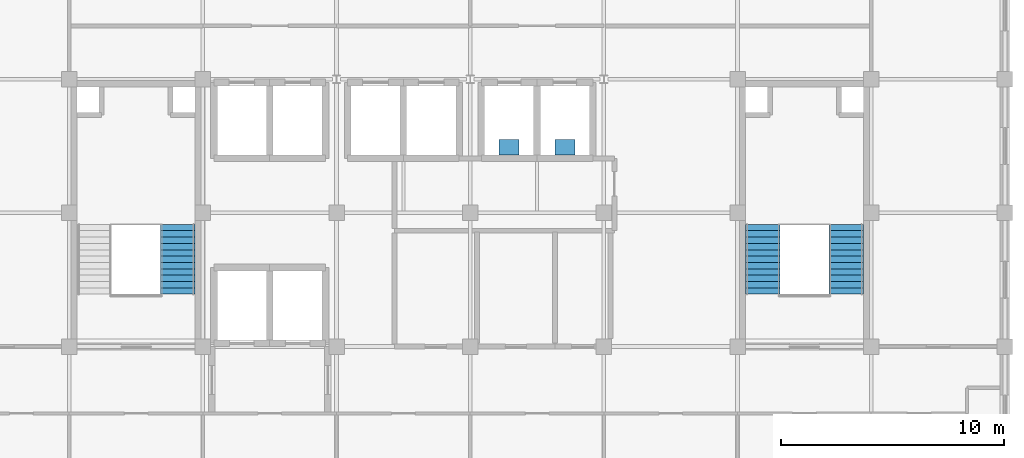
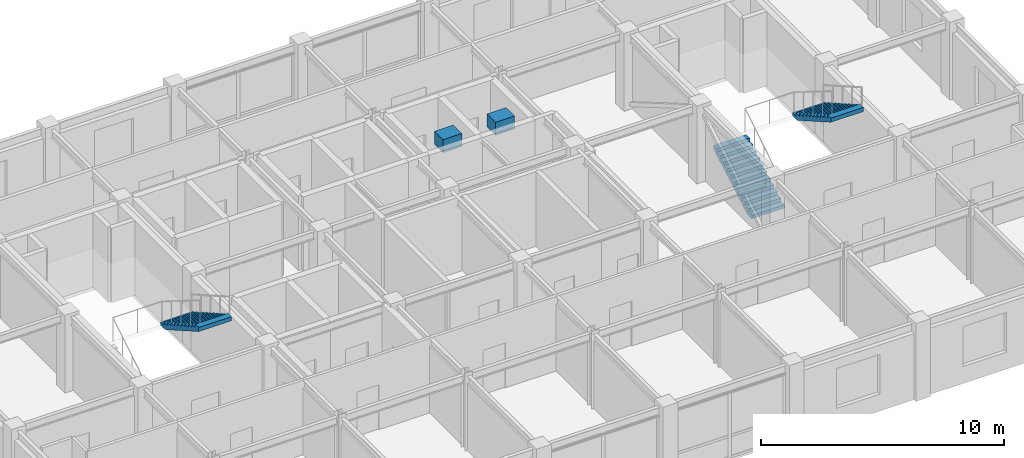
# One storey, part 11 of 12: 3 stair flights, 2 discrete accessories, 2 elements without a shape of their own.
"""IFC4 building model written with IfcOpenShell, lengths in metres."""

from ifc_helpers import new_model, si_unit, direction, frame, origin, origin_2d, place, context, subcontext, project, spatial, polyline, rectangle, outline, extrude, material, type_object, element, aggregate, save


model = new_model("IFC4")

# Units and contexts
model_context = context("Model", 3, precision=1e-05, world=origin(), true_north=direction((0.0, 1.0)))
body_context = subcontext(model_context, "Body", "Model", "MODEL_VIEW")
ifc_project = project(units=[si_unit("LENGTHUNIT", "METRE"), si_unit("AREAUNIT", "SQUARE_METRE"), si_unit("VOLUMEUNIT", "CUBIC_METRE"), si_unit("PLANEANGLEUNIT", "RADIAN"), si_unit("MASSUNIT", "GRAM", prefix="KILO")], contexts=[model_context])

# Site, building, storey
site_placement = place(None, origin())
site = spatial("IfcSite", under=ifc_project, at=site_placement, CompositionType="ELEMENT")
building_placement = place(site_placement, origin())
building = spatial("IfcBuilding", under=site, at=building_placement, Name="Zlatovratsky Civic Hall", CompositionType="ELEMENT")
storey_placement = place(building_placement, frame((0.0, 0.0, 40.5)))
storey = spatial("IfcBuildingStorey", under=building, at=storey_placement, Name="L10", CompositionType="ELEMENT", Elevation=40.5)

# Stair, stair flight
ifc_material_1 = material(Name="Concrete C30/37 (B35)", Category="concrete")
stair_type = type_object("IfcStairType", Name="Stair_HALF_24R_1550W_04", PredefinedType="HALF_TURN_STAIR", material=ifc_material_1)
stair_1_placement = place(storey_placement, origin())
stair_1 = element("IfcStair", 1, at=stair_1_placement, inside=storey, type_object=stair_type, Name="ST-011", PredefinedType="HALF_TURN_STAIR")
stair_flight_type = type_object("IfcStairFlightType", Name="StairFlight_12R_1550W_04", PredefinedType="STRAIGHT", material=ifc_material_1)
stair_flight_1_placement = place(storey_placement, frame((70.875, 89.485107421875, 1.949951171875), z_axis=(0.0, 0.0, 1.0), x_axis=(0.0, -1.0, 0.0)))
stair_flight_1 = element("IfcStairFlight", 2, at=stair_flight_1_placement, type_object=stair_flight_type, Name="ST-011-F2", NumberOfRisers=12, NumberOfTreads=11, PredefinedType="STRAIGHT", RiserHeight=0.1625, TreadLength=0.285, context=body_context, shape_type="SweptSolid", body=[
    extrude(outline(polyline([(0.0, 0.0), (0.0, 0.16259765625), (0.284912109375, 0.16259765625), (0.284912109375, 0.324951171875), (0.570068359375, 0.324951171875), (0.570068359375, 0.487548828125), (0.85498046875, 0.487548828125), (0.85498046875, 0.64990234375), (1.139892578125, 0.64990234375), (1.139892578125, 0.8125), (1.425048828125, 0.8125), (1.425048828125, 0.97509765625), (1.7099609375, 0.97509765625), (1.7099609375, 1.137451171875), (1.9951171875, 1.137451171875), (1.9951171875, 1.300048828125), (2.280029296875, 1.300048828125), (2.280029296875, 1.46240234375), (2.56494140625, 1.46240234375), (2.56494140625, 1.625), (2.85009765625, 1.625), (2.85009765625, 1.78759765625), (3.135009765625, 1.78759765625), (3.135009765625, 1.949951171875), (3.135009765625, 1.580322265625), (0.36328125, 0.0), (0.0, 0.0)])), frame((0.0, 0.77490234375, 0.0), z_axis=(0.0, -1.0, 0.0), x_axis=(1.0, 0.0, 0.0)), (0.0, 0.0, 1.0), 1.550048828125),
])
aggregate(stair_1, [stair_flight_1])

# Stair, stair flights
stair_2_placement = place(storey_placement, origin())
stair_2 = element("IfcStair", 3, at=stair_2_placement, inside=storey, type_object=stair_type, Name="ST-030", PredefinedType="HALF_TURN_STAIR")
stair_flight_2_placement = place(storey_placement, frame((97.125, 86.35009765625, 0.0), z_axis=(0.0, 0.0, 1.0), x_axis=(0.0, 1.0, 0.0)))
stair_flight_2 = element("IfcStairFlight", 4, at=stair_flight_2_placement, type_object=stair_flight_type, Name="ST-030-F1", NumberOfRisers=12, NumberOfTreads=11, PredefinedType="STRAIGHT", RiserHeight=0.1625, TreadLength=0.285, context=body_context, shape_type="SweptSolid", body=[
    extrude(outline(polyline([(0.0, 0.0), (0.0, 0.16259765625), (0.284912109375, 0.16259765625), (0.284912109375, 0.324951171875), (0.570068359375, 0.324951171875), (0.570068359375, 0.487548828125), (0.85498046875, 0.487548828125), (0.85498046875, 0.64990234375), (1.139892578125, 0.64990234375), (1.139892578125, 0.8125), (1.425048828125, 0.8125), (1.425048828125, 0.97509765625), (1.7099609375, 0.97509765625), (1.7099609375, 1.137451171875), (1.9951171875, 1.137451171875), (1.9951171875, 1.300048828125), (2.280029296875, 1.300048828125), (2.280029296875, 1.46240234375), (2.56494140625, 1.46240234375), (2.56494140625, 1.625), (2.85009765625, 1.625), (2.85009765625, 1.78759765625), (3.135009765625, 1.78759765625), (3.135009765625, 1.949951171875), (3.135009765625, 1.580322265625), (0.36328125, 0.0), (0.0, 0.0)])), frame((0.0, 0.77490234375, 0.0), z_axis=(0.0, -1.0, 0.0), x_axis=(1.0, 0.0, 0.0)), (0.0, 0.0, 1.0), 1.550048828125),
])
stair_flight_3_placement = place(storey_placement, frame((100.875, 89.485107421875, 1.949951171875), z_axis=(0.0, 0.0, 1.0), x_axis=(0.0, -1.0, 0.0)))
stair_flight_3 = element("IfcStairFlight", 5, at=stair_flight_3_placement, type_object=stair_flight_type, Name="ST-030-F2", NumberOfRisers=12, NumberOfTreads=11, PredefinedType="STRAIGHT", RiserHeight=0.1625, TreadLength=0.285, context=body_context, shape_type="SweptSolid", body=[
    extrude(outline(polyline([(0.0, 0.0), (0.0, 0.16259765625), (0.284912109375, 0.16259765625), (0.284912109375, 0.324951171875), (0.570068359375, 0.324951171875), (0.570068359375, 0.487548828125), (0.85498046875, 0.487548828125), (0.85498046875, 0.64990234375), (1.139892578125, 0.64990234375), (1.139892578125, 0.8125), (1.425048828125, 0.8125), (1.425048828125, 0.97509765625), (1.7099609375, 0.97509765625), (1.7099609375, 1.137451171875), (1.9951171875, 1.137451171875), (1.9951171875, 1.300048828125), (2.280029296875, 1.300048828125), (2.280029296875, 1.46240234375), (2.56494140625, 1.46240234375), (2.56494140625, 1.625), (2.85009765625, 1.625), (2.85009765625, 1.78759765625), (3.135009765625, 1.78759765625), (3.135009765625, 1.949951171875), (3.135009765625, 1.580322265625), (0.36328125, 0.0), (0.0, 0.0)])), frame((0.0, 0.77490234375, 0.0), z_axis=(0.0, -1.0, 0.0), x_axis=(1.0, 0.0, 0.0)), (0.0, 0.0, 1.0), 1.550048828125),
])
aggregate(stair_2, [stair_flight_2, stair_flight_3])

# Discrete accessories
ifc_material_2 = material(Name="Steel S355", Category="steel")
discrete_accessory_type = type_object("IfcDiscreteAccessoryType", Name="Lift_TractionMachine", PredefinedType="USERDEFINED", material=ifc_material_2)
for number, where, z_axis, x_axis, name in (
    (6, (85.75, 92.949951171875, 3.400146484375), (0.0, 0.0, 1.0), (1.0, 0.0, 0.0), "Lift Traction Machine LP-05"),
    (7, (88.25, 92.949951171875, 3.400146484375), (0.0, 0.0, 1.0), (1.0, 0.0, 0.0), "Lift Traction Machine LP-06"),
):
    element("IfcDiscreteAccessory", number, at=place(storey_placement, frame(where, z_axis=z_axis, x_axis=x_axis)), inside=storey, type_object=discrete_accessory_type, Name=name, ObjectType="TRACTION MACHINE", PredefinedType="USERDEFINED", context=body_context, shape_type="SweptSolid", body=[
        extrude(rectangle(XDim=0.89990234375, YDim=0.699951171875, at=origin_2d()), origin(), (0.0, 0.0, 1.0), 0.64990234375),
    ])

save(model, "model.ifc")
